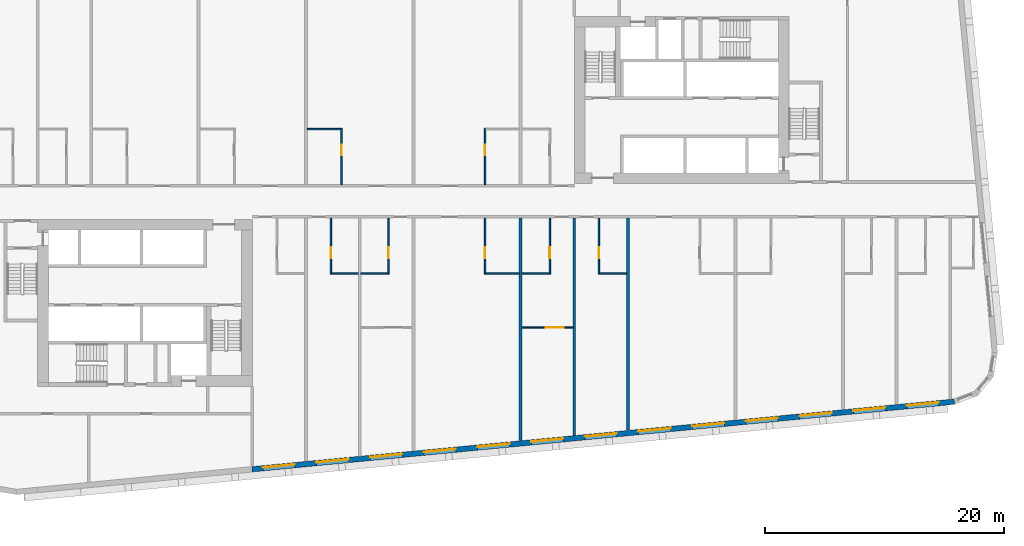
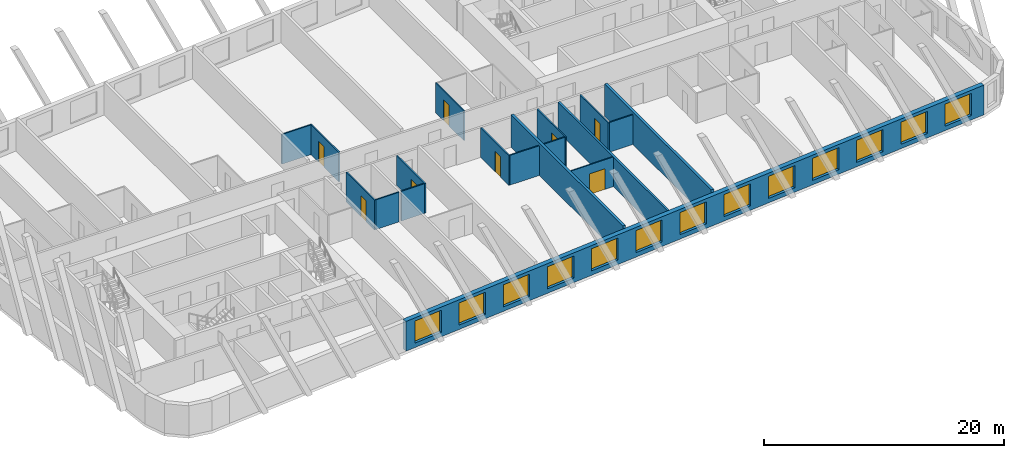
# One storey, part 4 of 13: 18 walls, 13 windows, 8 doors, 21 openings.
"""IFC4 building model written with IfcOpenShell, lengths in metres."""

from ifc_helpers import new_model, si_unit, direction, frame, frame_2d, origin, place, context, subcontext, project, spatial, rectangle, extrude, material, layer, layer_set, type_object, element, fill, save


model = new_model("IFC4")

# Units and contexts
model_context = context("Model", 3, precision=1e-05, world=origin(), true_north=direction((0.0, 1.0)))
body_context = subcontext(model_context, "Body", "Model", "MODEL_VIEW")
ifc_project = project(units=[si_unit("LENGTHUNIT", "METRE"), si_unit("AREAUNIT", "SQUARE_METRE"), si_unit("VOLUMEUNIT", "CUBIC_METRE"), si_unit("PLANEANGLEUNIT", "RADIAN"), si_unit("MASSUNIT", "GRAM", prefix="KILO")], contexts=[model_context])

# Site, building, storey
site_placement = place(None, origin())
site = spatial("IfcSite", under=ifc_project, at=site_placement, CompositionType="ELEMENT")
building_placement = place(site_placement, origin())
building = spatial("IfcBuilding", under=site, at=building_placement, Name="Kajstack Hotel Tower", CompositionType="ELEMENT")
storey_placement = place(building_placement, frame((0.0, 0.0, 110.800048828125)))
storey = spatial("IfcBuildingStorey", under=building, at=storey_placement, Name="L23", CompositionType="ELEMENT", Elevation=110.800048828125)

# Wall
ifc_material_1 = material(Name="Twin-frame gypsum board on steel studs, mineral wool", Category="steel")
ifc_layer_1 = layer(ifc_material_1, 0.199951171875)
ifc_layer_set_1 = layer_set([ifc_layer_1], Name="Demising wall 200")
wall_type_1 = type_object("IfcWallType", Name="Demising wall 200", PredefinedType="PARTITIONING", material=ifc_layer_set_1)
wall_1_placement = place(storey_placement, frame((13.5, -19.633056640625, 0.0), z_axis=(0.0, 0.0, 1.0), x_axis=(0.0, 1.0, 0.0)))
element("IfcWall", 1, at=wall_1_placement, inside=storey, type_object=wall_type_1, Name="G-wall-L23-032", PredefinedType="PARTITIONING", context=body_context, shape_type="SweptSolid", body=[
    extrude(rectangle(XDim=18.233154296875, YDim=0.199951171875, at=frame_2d((9.11669921875, 0.0))), origin(), (0.0, 0.0, 1.0), 3.02001953125),
])

# Wall, openings, windows
ifc_material_2 = material(Name="Terracotta-faced brick masonry", Category="masonry")
ifc_layer_2 = layer(ifc_material_2, 0.449951171875)
ifc_layer_set_2 = layer_set([ifc_layer_2], Name="EW-TERRA")
wall_type_2 = type_object("IfcWallType", Name="EW-TERRA", PredefinedType="SOLIDWALL", material=ifc_layer_set_2)
wall_2_placement = place(storey_placement, frame((-13.521484375, -22.46044921875, 0.0), z_axis=(0.0, 0.0, 1.0), x_axis=(0.995396096335, 0.095846812164, 0.0)))
wall_2 = element("IfcWall", 2, at=wall_2_placement, inside=storey, type_object=wall_type_2, Name="E-wall-L23-04-02", PredefinedType="SOLIDWALL", context=body_context, shape_type="SweptSolid", body=[
    extrude(rectangle(XDim=59.15087890625, YDim=0.449951171875, at=frame_2d((29.575439453125, 0.0))), origin(), (0.0, 0.0, 1.0), 3.02001953125),
])
opening_1_placement = place(wall_2_placement, frame((0.910400390625, 0.0, 0.449951171875)))
opening_1 = element("IfcOpeningElement", 3, at=opening_1_placement, cuts=wall_2, Name="Opening W1", PredefinedType="OPENING", context=body_context, shape_type="SweptSolid", body=[
    extrude(rectangle(XDim=2.699951171875, YDim=2.25, at=frame_2d((1.35009765625, 1.125))), frame((0.0, 0.23486328125, 0.0), z_axis=(0.0, -1.0, 0.0), x_axis=(1.0, 0.0, 0.0)), (0.0, 0.0, 1.0), 0.469970703125),
])
opening_2_placement = place(wall_2_placement, frame((5.43115234375, 0.0, 0.449951171875)))
opening_2 = element("IfcOpeningElement", 4, at=opening_2_placement, cuts=wall_2, Name="Opening W1", PredefinedType="OPENING", context=body_context, shape_type="SweptSolid", body=[
    extrude(rectangle(XDim=2.699951171875, YDim=2.25, at=frame_2d((1.35009765625, 1.125))), frame((0.0, 0.23486328125, 0.0), z_axis=(0.0, -1.0, 0.0), x_axis=(1.0, 0.0, 0.0)), (0.0, 0.0, 1.0), 0.469970703125),
])
opening_3_placement = place(wall_2_placement, frame((9.951904296875, 0.0, 0.449951171875)))
opening_3 = element("IfcOpeningElement", 5, at=opening_3_placement, cuts=wall_2, Name="Opening W1", PredefinedType="OPENING", context=body_context, shape_type="SweptSolid", body=[
    extrude(rectangle(XDim=2.699951171875, YDim=2.25, at=frame_2d((1.35009765625, 1.125))), frame((0.0, 0.23486328125, 0.0), z_axis=(0.0, -1.0, 0.0), x_axis=(1.0, 0.0, 0.0)), (0.0, 0.0, 1.0), 0.469970703125),
])
opening_4_placement = place(wall_2_placement, frame((14.472900390625, 0.0, 0.449951171875)))
opening_4 = element("IfcOpeningElement", 6, at=opening_4_placement, cuts=wall_2, Name="Opening W1", PredefinedType="OPENING", context=body_context, shape_type="SweptSolid", body=[
    extrude(rectangle(XDim=2.699951171875, YDim=2.25, at=frame_2d((1.35009765625, 1.125))), frame((0.0, 0.23486328125, 0.0), z_axis=(0.0, -1.0, 0.0), x_axis=(1.0, 0.0, 0.0)), (0.0, 0.0, 1.0), 0.469970703125),
])
opening_5_placement = place(wall_2_placement, frame((18.99365234375, 0.0, 0.449951171875)))
opening_5 = element("IfcOpeningElement", 7, at=opening_5_placement, cuts=wall_2, Name="Opening W1", PredefinedType="OPENING", context=body_context, shape_type="SweptSolid", body=[
    extrude(rectangle(XDim=2.699951171875, YDim=2.25, at=frame_2d((1.35009765625, 1.125))), frame((0.0, 0.23486328125, 0.0), z_axis=(0.0, -1.0, 0.0), x_axis=(1.0, 0.0, 0.0)), (0.0, 0.0, 1.0), 0.469970703125),
])
opening_6_placement = place(wall_2_placement, frame((23.514404296875, 0.0, 0.449951171875)))
opening_6 = element("IfcOpeningElement", 8, at=opening_6_placement, cuts=wall_2, Name="Opening W1", PredefinedType="OPENING", context=body_context, shape_type="SweptSolid", body=[
    extrude(rectangle(XDim=2.699951171875, YDim=2.25, at=frame_2d((1.35009765625, 1.125))), frame((0.0, 0.23486328125, 0.0), z_axis=(0.0, -1.0, 0.0), x_axis=(1.0, 0.0, 0.0)), (0.0, 0.0, 1.0), 0.469970703125),
])
opening_7_placement = place(wall_2_placement, frame((28.035400390625, 0.0, 0.449951171875)))
opening_7 = element("IfcOpeningElement", 9, at=opening_7_placement, cuts=wall_2, Name="Opening W1", PredefinedType="OPENING", context=body_context, shape_type="SweptSolid", body=[
    extrude(rectangle(XDim=2.699951171875, YDim=2.25, at=frame_2d((1.35009765625, 1.125))), frame((0.0, 0.23486328125, 0.0), z_axis=(0.0, -1.0, 0.0), x_axis=(1.0, 0.0, 0.0)), (0.0, 0.0, 1.0), 0.469970703125),
])
opening_8_placement = place(wall_2_placement, frame((32.55615234375, 0.0, 0.449951171875)))
opening_8 = element("IfcOpeningElement", 10, at=opening_8_placement, cuts=wall_2, Name="Opening W1", PredefinedType="OPENING", context=body_context, shape_type="SweptSolid", body=[
    extrude(rectangle(XDim=2.699951171875, YDim=2.25, at=frame_2d((1.35009765625, 1.125))), frame((0.0, 0.23486328125, 0.0), z_axis=(0.0, -1.0, 0.0), x_axis=(1.0, 0.0, 0.0)), (0.0, 0.0, 1.0), 0.469970703125),
])
opening_9_placement = place(wall_2_placement, frame((37.076904296875, 0.0, 0.449951171875)))
opening_9 = element("IfcOpeningElement", 11, at=opening_9_placement, cuts=wall_2, Name="Opening W1", PredefinedType="OPENING", context=body_context, shape_type="SweptSolid", body=[
    extrude(rectangle(XDim=2.699951171875, YDim=2.25, at=frame_2d((1.35009765625, 1.125))), frame((0.0, 0.23486328125, 0.0), z_axis=(0.0, -1.0, 0.0), x_axis=(1.0, 0.0, 0.0)), (0.0, 0.0, 1.0), 0.469970703125),
])
opening_10_placement = place(wall_2_placement, frame((41.59765625, 0.0, 0.449951171875)))
opening_10 = element("IfcOpeningElement", 12, at=opening_10_placement, cuts=wall_2, Name="Opening W1", PredefinedType="OPENING", context=body_context, shape_type="SweptSolid", body=[
    extrude(rectangle(XDim=2.699951171875, YDim=2.25, at=frame_2d((1.35009765625, 1.125))), frame((0.0, 0.23486328125, 0.0), z_axis=(0.0, -1.0, 0.0), x_axis=(1.0, 0.0, 0.0)), (0.0, 0.0, 1.0), 0.469970703125),
])
opening_11_placement = place(wall_2_placement, frame((46.118408203125, 0.0, 0.449951171875)))
opening_11 = element("IfcOpeningElement", 13, at=opening_11_placement, cuts=wall_2, Name="Opening W1", PredefinedType="OPENING", context=body_context, shape_type="SweptSolid", body=[
    extrude(rectangle(XDim=2.699951171875, YDim=2.25, at=frame_2d((1.35009765625, 1.125))), frame((0.0, 0.23486328125, 0.0), z_axis=(0.0, -1.0, 0.0), x_axis=(1.0, 0.0, 0.0)), (0.0, 0.0, 1.0), 0.469970703125),
])
opening_12_placement = place(wall_2_placement, frame((50.639404296875, 0.0, 0.449951171875)))
opening_12 = element("IfcOpeningElement", 14, at=opening_12_placement, cuts=wall_2, Name="Opening W1", PredefinedType="OPENING", context=body_context, shape_type="SweptSolid", body=[
    extrude(rectangle(XDim=2.699951171875, YDim=2.25, at=frame_2d((1.35009765625, 1.125))), frame((0.0, 0.23486328125, 0.0), z_axis=(0.0, -1.0, 0.0), x_axis=(1.0, 0.0, 0.0)), (0.0, 0.0, 1.0), 0.469970703125),
])
opening_13_placement = place(wall_2_placement, frame((55.149658203125, 0.0, 0.449951171875)))
opening_13 = element("IfcOpeningElement", 15, at=opening_13_placement, cuts=wall_2, Name="Opening W1", PredefinedType="OPENING", context=body_context, shape_type="SweptSolid", body=[
    extrude(rectangle(XDim=2.699951171875, YDim=2.25, at=frame_2d((1.35009765625, 1.125))), frame((0.0, 0.23486328125, 0.0), z_axis=(0.0, -1.0, 0.0), x_axis=(1.0, 0.0, 0.0)), (0.0, 0.0, 1.0), 0.469970703125),
])
ifc_material_3 = material(Name="Timber-aluminium window, triple glazed", Category="wood")
window_type = type_object("IfcWindowType", Name="WG1", PartitioningType="SINGLE_PANEL", PredefinedType="WINDOW", material=ifc_material_3)
window_1_placement = place(opening_1_placement, origin())
window_1 = element("IfcWindow", 16, at=window_1_placement, inside=storey, type_object=window_type, Name="Window W1 L23-04", OverallHeight=2.25, OverallWidth=2.699951171875, PartitioningType="SINGLE_PANEL", PredefinedType="WINDOW", context=body_context, shape_type="SweptSolid", body=[
    extrude(rectangle(XDim=2.699951171875, YDim=2.25, at=frame_2d((1.35009765625, 1.125))), frame((0.0, 0.090087890625, 0.0), z_axis=(0.0, -1.0, 0.0), x_axis=(1.0, 0.0, 0.0)), (0.0, 0.0, 1.0), 0.06005859375),
])
fill(opening_1, window_1)
window_2_placement = place(opening_2_placement, origin())
window_2 = element("IfcWindow", 17, at=window_2_placement, inside=storey, type_object=window_type, Name="Window W1 L23-04", OverallHeight=2.25, OverallWidth=2.699951171875, PartitioningType="SINGLE_PANEL", PredefinedType="WINDOW", context=body_context, shape_type="SweptSolid", body=[
    extrude(rectangle(XDim=2.699951171875, YDim=2.25, at=frame_2d((1.35009765625, 1.125))), frame((0.0, 0.090087890625, 0.0), z_axis=(0.0, -1.0, 0.0), x_axis=(1.0, 0.0, 0.0)), (0.0, 0.0, 1.0), 0.06005859375),
])
fill(opening_2, window_2)
window_3_placement = place(opening_3_placement, origin())
window_3 = element("IfcWindow", 18, at=window_3_placement, inside=storey, type_object=window_type, Name="Window W1 L23-04", OverallHeight=2.25, OverallWidth=2.699951171875, PartitioningType="SINGLE_PANEL", PredefinedType="WINDOW", context=body_context, shape_type="SweptSolid", body=[
    extrude(rectangle(XDim=2.699951171875, YDim=2.25, at=frame_2d((1.35009765625, 1.125))), frame((0.0, 0.090087890625, 0.0), z_axis=(0.0, -1.0, 0.0), x_axis=(1.0, 0.0, 0.0)), (0.0, 0.0, 1.0), 0.06005859375),
])
fill(opening_3, window_3)
window_4_placement = place(opening_4_placement, origin())
window_4 = element("IfcWindow", 19, at=window_4_placement, inside=storey, type_object=window_type, Name="Window W1 L23-04", OverallHeight=2.25, OverallWidth=2.699951171875, PartitioningType="SINGLE_PANEL", PredefinedType="WINDOW", context=body_context, shape_type="SweptSolid", body=[
    extrude(rectangle(XDim=2.699951171875, YDim=2.25, at=frame_2d((1.35009765625, 1.125))), frame((0.0, 0.090087890625, 0.0), z_axis=(0.0, -1.0, 0.0), x_axis=(1.0, 0.0, 0.0)), (0.0, 0.0, 1.0), 0.06005859375),
])
fill(opening_4, window_4)
window_5_placement = place(opening_5_placement, origin())
window_5 = element("IfcWindow", 20, at=window_5_placement, inside=storey, type_object=window_type, Name="Window W1 L23-04", OverallHeight=2.25, OverallWidth=2.699951171875, PartitioningType="SINGLE_PANEL", PredefinedType="WINDOW", context=body_context, shape_type="SweptSolid", body=[
    extrude(rectangle(XDim=2.699951171875, YDim=2.25, at=frame_2d((1.35009765625, 1.125))), frame((0.0, 0.090087890625, 0.0), z_axis=(0.0, -1.0, 0.0), x_axis=(1.0, 0.0, 0.0)), (0.0, 0.0, 1.0), 0.06005859375),
])
fill(opening_5, window_5)
window_6_placement = place(opening_6_placement, origin())
window_6 = element("IfcWindow", 21, at=window_6_placement, inside=storey, type_object=window_type, Name="Window W1 L23-04", OverallHeight=2.25, OverallWidth=2.699951171875, PartitioningType="SINGLE_PANEL", PredefinedType="WINDOW", context=body_context, shape_type="SweptSolid", body=[
    extrude(rectangle(XDim=2.699951171875, YDim=2.25, at=frame_2d((1.35009765625, 1.125))), frame((0.0, 0.090087890625, 0.0), z_axis=(0.0, -1.0, 0.0), x_axis=(1.0, 0.0, 0.0)), (0.0, 0.0, 1.0), 0.06005859375),
])
fill(opening_6, window_6)
window_7_placement = place(opening_7_placement, origin())
window_7 = element("IfcWindow", 22, at=window_7_placement, inside=storey, type_object=window_type, Name="Window W1 L23-04", OverallHeight=2.25, OverallWidth=2.699951171875, PartitioningType="SINGLE_PANEL", PredefinedType="WINDOW", context=body_context, shape_type="SweptSolid", body=[
    extrude(rectangle(XDim=2.699951171875, YDim=2.25, at=frame_2d((1.35009765625, 1.125))), frame((0.0, 0.090087890625, 0.0), z_axis=(0.0, -1.0, 0.0), x_axis=(1.0, 0.0, 0.0)), (0.0, 0.0, 1.0), 0.06005859375),
])
fill(opening_7, window_7)
window_8_placement = place(opening_8_placement, origin())
window_8 = element("IfcWindow", 23, at=window_8_placement, inside=storey, type_object=window_type, Name="Window W1 L23-04", OverallHeight=2.25, OverallWidth=2.699951171875, PartitioningType="SINGLE_PANEL", PredefinedType="WINDOW", context=body_context, shape_type="SweptSolid", body=[
    extrude(rectangle(XDim=2.699951171875, YDim=2.25, at=frame_2d((1.35009765625, 1.125))), frame((0.0, 0.090087890625, 0.0), z_axis=(0.0, -1.0, 0.0), x_axis=(1.0, 0.0, 0.0)), (0.0, 0.0, 1.0), 0.06005859375),
])
fill(opening_8, window_8)
window_9_placement = place(opening_9_placement, origin())
window_9 = element("IfcWindow", 24, at=window_9_placement, inside=storey, type_object=window_type, Name="Window W1 L23-04", OverallHeight=2.25, OverallWidth=2.699951171875, PartitioningType="SINGLE_PANEL", PredefinedType="WINDOW", context=body_context, shape_type="SweptSolid", body=[
    extrude(rectangle(XDim=2.699951171875, YDim=2.25, at=frame_2d((1.35009765625, 1.125))), frame((0.0, 0.090087890625, 0.0), z_axis=(0.0, -1.0, 0.0), x_axis=(1.0, 0.0, 0.0)), (0.0, 0.0, 1.0), 0.06005859375),
])
fill(opening_9, window_9)
window_10_placement = place(opening_10_placement, origin())
window_10 = element("IfcWindow", 25, at=window_10_placement, inside=storey, type_object=window_type, Name="Window W1 L23-04", OverallHeight=2.25, OverallWidth=2.699951171875, PartitioningType="SINGLE_PANEL", PredefinedType="WINDOW", context=body_context, shape_type="SweptSolid", body=[
    extrude(rectangle(XDim=2.699951171875, YDim=2.25, at=frame_2d((1.35009765625, 1.125))), frame((0.0, 0.090087890625, 0.0), z_axis=(0.0, -1.0, 0.0), x_axis=(1.0, 0.0, 0.0)), (0.0, 0.0, 1.0), 0.06005859375),
])
fill(opening_10, window_10)
window_11_placement = place(opening_11_placement, origin())
window_11 = element("IfcWindow", 26, at=window_11_placement, inside=storey, type_object=window_type, Name="Window W1 L23-04", OverallHeight=2.25, OverallWidth=2.699951171875, PartitioningType="SINGLE_PANEL", PredefinedType="WINDOW", context=body_context, shape_type="SweptSolid", body=[
    extrude(rectangle(XDim=2.699951171875, YDim=2.25, at=frame_2d((1.35009765625, 1.125))), frame((0.0, 0.090087890625, 0.0), z_axis=(0.0, -1.0, 0.0), x_axis=(1.0, 0.0, 0.0)), (0.0, 0.0, 1.0), 0.06005859375),
])
fill(opening_11, window_11)
window_12_placement = place(opening_12_placement, origin())
window_12 = element("IfcWindow", 27, at=window_12_placement, inside=storey, type_object=window_type, Name="Window W1 L23-04", OverallHeight=2.25, OverallWidth=2.699951171875, PartitioningType="SINGLE_PANEL", PredefinedType="WINDOW", context=body_context, shape_type="SweptSolid", body=[
    extrude(rectangle(XDim=2.699951171875, YDim=2.25, at=frame_2d((1.35009765625, 1.125))), frame((0.0, 0.090087890625, 0.0), z_axis=(0.0, -1.0, 0.0), x_axis=(1.0, 0.0, 0.0)), (0.0, 0.0, 1.0), 0.06005859375),
])
fill(opening_12, window_12)
window_13_placement = place(opening_13_placement, origin())
window_13 = element("IfcWindow", 28, at=window_13_placement, inside=storey, type_object=window_type, Name="Window W1 L23-04", OverallHeight=2.25, OverallWidth=2.699951171875, PartitioningType="SINGLE_PANEL", PredefinedType="WINDOW", context=body_context, shape_type="SweptSolid", body=[
    extrude(rectangle(XDim=2.699951171875, YDim=2.25, at=frame_2d((1.35009765625, 1.125))), frame((0.0, 0.090087890625, 0.0), z_axis=(0.0, -1.0, 0.0), x_axis=(1.0, 0.0, 0.0)), (0.0, 0.0, 1.0), 0.06005859375),
])
fill(opening_13, window_13)

# Wall, opening, door
ifc_material_4 = material(Name="Gypsum board and tiled backer on steel studs", Category="steel")
ifc_layer_3 = layer(ifc_material_4, 0.125)
ifc_layer_set_3 = layer_set([ifc_layer_3], Name="En-suite wall 125")
wall_type_3 = type_object("IfcWallType", Name="En-suite wall 125", PredefinedType="PARTITIONING", material=ifc_layer_set_3)
wall_3_placement = place(storey_placement, frame((-6.012939453125, 1.39990234375, 0.0), z_axis=(0.0, 0.0, 1.0), x_axis=(0.0, 1.0, 0.0)))
wall_3 = element("IfcWall", 29, at=wall_3_placement, inside=storey, type_object=wall_type_3, Name="G-wall-L23-015", PredefinedType="PARTITIONING", context=body_context, shape_type="SweptSolid", body=[
    extrude(rectangle(XDim=4.72509765625, YDim=0.125, at=frame_2d((2.362548828125, 0.0))), origin(), (0.0, 0.0, 1.0), 3.02001953125),
])
opening_14_placement = place(wall_3_placement, frame((2.449951171875, 0.0, 0.0)))
opening_14 = element("IfcOpeningElement", 30, at=opening_14_placement, cuts=wall_3, Name="Opening 23012", PredefinedType="OPENING", context=body_context, shape_type="SweptSolid", body=[
    extrude(rectangle(XDim=0.89990234375, YDim=2.10009765625, at=frame_2d((0.449951171875, 1.050048828125))), frame((0.0, 0.072509765625, 0.0), z_axis=(0.0, -1.0, 0.0), x_axis=(1.0, 0.0, 0.0)), (0.0, 0.0, 1.0), 0.14501953125),
])
ifc_material_5 = material(Name="Painted timber door leaf", Category="wood")
door_type_1 = type_object("IfcDoorType", Name="Room door 900", OperationType="SINGLE_SWING_LEFT", PredefinedType="DOOR", material=ifc_material_5)
door_1_placement = place(opening_14_placement, origin())
door_1 = element("IfcDoor", 31, at=door_1_placement, inside=storey, type_object=door_type_1, Name="G-door-L23-12", OperationType="SINGLE_SWING_RIGHT", OverallHeight=2.10009765625, OverallWidth=0.89990234375, PredefinedType="DOOR", context=body_context, shape_type="SweptSolid", body=[
    extrude(rectangle(XDim=0.89990234375, YDim=2.10009765625, at=frame_2d((0.449951171875, 1.050048828125))), frame((0.0, 0.02490234375, 0.0), z_axis=(0.0, -1.0, 0.0), x_axis=(1.0, 0.0, 0.0)), (0.0, 0.0, 1.0), 0.050048828125),
])
fill(opening_14, door_1)

# Wall
wall_4_placement = place(storey_placement, frame((-8.875, 6.06201171875, 0.0), z_axis=(0.0, 0.0, 1.0), x_axis=(1.0, 0.0, 0.0)))
element("IfcWall", 32, at=wall_4_placement, inside=storey, type_object=wall_type_3, Name="G-wall-L23-016", PredefinedType="PARTITIONING", context=body_context, shape_type="SweptSolid", body=[
    extrude(rectangle(XDim=2.800048828125, YDim=0.125, at=frame_2d((1.39990234375, 0.0))), origin(), (0.0, 0.0, 1.0), 3.02001953125),
])

# Wall, opening, door
wall_5_placement = place(storey_placement, frame((6.012939453125, 1.39990234375, 0.0), z_axis=(0.0, 0.0, 1.0), x_axis=(0.0, 1.0, 0.0)))
wall_5 = element("IfcWall", 33, at=wall_5_placement, inside=storey, type_object=wall_type_3, Name="G-wall-L23-017", PredefinedType="PARTITIONING", context=body_context, shape_type="SweptSolid", body=[
    extrude(rectangle(XDim=4.72509765625, YDim=0.125, at=frame_2d((2.362548828125, 0.0))), origin(), (0.0, 0.0, 1.0), 3.02001953125),
])
opening_15_placement = place(wall_5_placement, frame((2.449951171875, 0.0, 0.0)))
opening_15 = element("IfcOpeningElement", 34, at=opening_15_placement, cuts=wall_5, Name="Opening 23014", PredefinedType="OPENING", context=body_context, shape_type="SweptSolid", body=[
    extrude(rectangle(XDim=0.89990234375, YDim=2.10009765625, at=frame_2d((0.449951171875, 1.050048828125))), frame((0.0, 0.072509765625, 0.0), z_axis=(0.0, -1.0, 0.0), x_axis=(1.0, 0.0, 0.0)), (0.0, 0.0, 1.0), 0.14501953125),
])
door_2_placement = place(opening_15_placement, origin())
door_2 = element("IfcDoor", 35, at=door_2_placement, inside=storey, type_object=door_type_1, Name="G-door-L23-14", OperationType="SINGLE_SWING_LEFT", OverallHeight=2.10009765625, OverallWidth=0.89990234375, PredefinedType="DOOR", context=body_context, shape_type="SweptSolid", body=[
    extrude(rectangle(XDim=0.89990234375, YDim=2.10009765625, at=frame_2d((0.449951171875, 1.050048828125))), frame((0.0, 0.02490234375, 0.0), z_axis=(0.0, -1.0, 0.0), x_axis=(1.0, 0.0, 0.0)), (0.0, 0.0, 1.0), 0.050048828125),
])
fill(opening_15, door_2)

wall_6_placement = place(storey_placement, frame((-6.912109375, -6.125, 0.0), z_axis=(0.0, 0.0, 1.0), x_axis=(0.0, 1.0, 0.0)))
wall_6 = element("IfcWall", 36, at=wall_6_placement, inside=storey, type_object=wall_type_3, Name="G-wall-L23-025", PredefinedType="PARTITIONING", context=body_context, shape_type="SweptSolid", body=[
    extrude(rectangle(XDim=4.72509765625, YDim=0.125, at=frame_2d((2.362548828125, 0.0))), origin(), (0.0, 0.0, 1.0), 3.02001953125),
])
opening_16_placement = place(wall_6_placement, frame((1.375, 0.0, 0.0)))
opening_16 = element("IfcOpeningElement", 37, at=opening_16_placement, cuts=wall_6, Name="Opening 23020", PredefinedType="OPENING", context=body_context, shape_type="SweptSolid", body=[
    extrude(rectangle(XDim=0.89990234375, YDim=2.10009765625, at=frame_2d((0.449951171875, 1.050048828125))), frame((0.0, 0.072509765625, 0.0), z_axis=(0.0, -1.0, 0.0), x_axis=(1.0, 0.0, 0.0)), (0.0, 0.0, 1.0), 0.14501953125),
])
door_3_placement = place(opening_16_placement, origin())
door_3 = element("IfcDoor", 38, at=door_3_placement, inside=storey, type_object=door_type_1, Name="G-door-L23-20", OperationType="SINGLE_SWING_RIGHT", OverallHeight=2.10009765625, OverallWidth=0.89990234375, PredefinedType="DOOR", context=body_context, shape_type="SweptSolid", body=[
    extrude(rectangle(XDim=0.89990234375, YDim=2.10009765625, at=frame_2d((0.449951171875, 1.050048828125))), frame((0.0, 0.02490234375, 0.0), z_axis=(0.0, -1.0, 0.0), x_axis=(1.0, 0.0, 0.0)), (0.0, 0.0, 1.0), 0.050048828125),
])
fill(opening_16, door_3)

# Wall
wall_7_placement = place(storey_placement, frame((-6.85009765625, -6.06201171875, 0.0), z_axis=(0.0, 0.0, 1.0), x_axis=(1.0, 0.0, 0.0)))
element("IfcWall", 39, at=wall_7_placement, inside=storey, type_object=wall_type_3, Name="G-wall-L23-026", PredefinedType="PARTITIONING", context=body_context, shape_type="SweptSolid", body=[
    extrude(rectangle(XDim=2.25, YDim=0.125, at=frame_2d((1.125, 0.0))), origin(), (0.0, 0.0, 1.0), 3.02001953125),
])

# Wall, opening, door
wall_8_placement = place(storey_placement, frame((-2.0869140625, -6.125, 0.0), z_axis=(0.0, 0.0, 1.0), x_axis=(0.0, 1.0, 0.0)))
wall_8 = element("IfcWall", 40, at=wall_8_placement, inside=storey, type_object=wall_type_3, Name="G-wall-L23-027", PredefinedType="PARTITIONING", context=body_context, shape_type="SweptSolid", body=[
    extrude(rectangle(XDim=4.72509765625, YDim=0.125, at=frame_2d((2.362548828125, 0.0))), origin(), (0.0, 0.0, 1.0), 3.02001953125),
])
opening_17_placement = place(wall_8_placement, frame((1.375, 0.0, 0.0)))
opening_17 = element("IfcOpeningElement", 41, at=opening_17_placement, cuts=wall_8, Name="Opening 23022", PredefinedType="OPENING", context=body_context, shape_type="SweptSolid", body=[
    extrude(rectangle(XDim=0.89990234375, YDim=2.10009765625, at=frame_2d((0.449951171875, 1.050048828125))), frame((0.0, 0.072509765625, 0.0), z_axis=(0.0, -1.0, 0.0), x_axis=(1.0, 0.0, 0.0)), (0.0, 0.0, 1.0), 0.14501953125),
])
door_4_placement = place(opening_17_placement, origin())
door_4 = element("IfcDoor", 42, at=door_4_placement, inside=storey, type_object=door_type_1, Name="G-door-L23-22", OperationType="SINGLE_SWING_LEFT", OverallHeight=2.10009765625, OverallWidth=0.89990234375, PredefinedType="DOOR", context=body_context, shape_type="SweptSolid", body=[
    extrude(rectangle(XDim=0.89990234375, YDim=2.10009765625, at=frame_2d((0.449951171875, 1.050048828125))), frame((0.0, 0.02490234375, 0.0), z_axis=(0.0, -1.0, 0.0), x_axis=(1.0, 0.0, 0.0)), (0.0, 0.0, 1.0), 0.050048828125),
])
fill(opening_17, door_4)

# Wall
wall_9_placement = place(storey_placement, frame((-4.39990234375, -6.06201171875, 0.0), z_axis=(0.0, 0.0, 1.0), x_axis=(1.0, 0.0, 0.0)))
element("IfcWall", 43, at=wall_9_placement, inside=storey, type_object=wall_type_3, Name="G-wall-L23-028", PredefinedType="PARTITIONING", context=body_context, shape_type="SweptSolid", body=[
    extrude(rectangle(XDim=2.25, YDim=0.125, at=frame_2d((1.125, 0.0))), origin(), (0.0, 0.0, 1.0), 3.02001953125),
])

# Wall, opening, door
wall_10_placement = place(storey_placement, frame((6.012939453125, -6.125, 0.0), z_axis=(0.0, 0.0, 1.0), x_axis=(0.0, 1.0, 0.0)))
wall_10 = element("IfcWall", 44, at=wall_10_placement, inside=storey, type_object=wall_type_3, Name="G-wall-L23-030", PredefinedType="PARTITIONING", context=body_context, shape_type="SweptSolid", body=[
    extrude(rectangle(XDim=4.72509765625, YDim=0.125, at=frame_2d((2.362548828125, 0.0))), origin(), (0.0, 0.0, 1.0), 3.02001953125),
])
opening_18_placement = place(wall_10_placement, frame((1.375, 0.0, 0.0)))
opening_18 = element("IfcOpeningElement", 45, at=opening_18_placement, cuts=wall_10, Name="Opening 23025", PredefinedType="OPENING", context=body_context, shape_type="SweptSolid", body=[
    extrude(rectangle(XDim=0.89990234375, YDim=2.10009765625, at=frame_2d((0.449951171875, 1.050048828125))), frame((0.0, 0.072509765625, 0.0), z_axis=(0.0, -1.0, 0.0), x_axis=(1.0, 0.0, 0.0)), (0.0, 0.0, 1.0), 0.14501953125),
])
door_5_placement = place(opening_18_placement, origin())
door_5 = element("IfcDoor", 46, at=door_5_placement, inside=storey, type_object=door_type_1, Name="G-door-L23-25", OperationType="SINGLE_SWING_LEFT", OverallHeight=2.10009765625, OverallWidth=0.89990234375, PredefinedType="DOOR", context=body_context, shape_type="SweptSolid", body=[
    extrude(rectangle(XDim=0.89990234375, YDim=2.10009765625, at=frame_2d((0.449951171875, 1.050048828125))), frame((0.0, 0.02490234375, 0.0), z_axis=(0.0, -1.0, 0.0), x_axis=(1.0, 0.0, 0.0)), (0.0, 0.0, 1.0), 0.050048828125),
])
fill(opening_18, door_5)

# Wall
wall_11_placement = place(storey_placement, frame((6.074951171875, -6.06201171875, 0.0), z_axis=(0.0, 0.0, 1.0), x_axis=(1.0, 0.0, 0.0)))
element("IfcWall", 47, at=wall_11_placement, inside=storey, type_object=wall_type_3, Name="G-wall-L23-031", PredefinedType="PARTITIONING", context=body_context, shape_type="SweptSolid", body=[
    extrude(rectangle(XDim=2.800048828125, YDim=0.125, at=frame_2d((1.39990234375, 0.0))), origin(), (0.0, 0.0, 1.0), 3.02001953125),
])

# Wall, opening, door
wall_12_placement = place(storey_placement, frame((11.43798828125, -6.125, 0.0), z_axis=(0.0, 0.0, 1.0), x_axis=(0.0, 1.0, 0.0)))
wall_12 = element("IfcWall", 48, at=wall_12_placement, inside=storey, type_object=wall_type_3, Name="G-wall-L23-033", PredefinedType="PARTITIONING", context=body_context, shape_type="SweptSolid", body=[
    extrude(rectangle(XDim=4.72509765625, YDim=0.125, at=frame_2d((2.362548828125, 0.0))), origin(), (0.0, 0.0, 1.0), 3.02001953125),
])
opening_19_placement = place(wall_12_placement, frame((1.375, 0.0, 0.0)))
opening_19 = element("IfcOpeningElement", 49, at=opening_19_placement, cuts=wall_12, Name="Opening 23027", PredefinedType="OPENING", context=body_context, shape_type="SweptSolid", body=[
    extrude(rectangle(XDim=0.89990234375, YDim=2.10009765625, at=frame_2d((0.449951171875, 1.050048828125))), frame((0.0, 0.072509765625, 0.0), z_axis=(0.0, -1.0, 0.0), x_axis=(1.0, 0.0, 0.0)), (0.0, 0.0, 1.0), 0.14501953125),
])
door_6_placement = place(opening_19_placement, origin())
door_6 = element("IfcDoor", 50, at=door_6_placement, inside=storey, type_object=door_type_1, Name="G-door-L23-27", OperationType="SINGLE_SWING_RIGHT", OverallHeight=2.10009765625, OverallWidth=0.89990234375, PredefinedType="DOOR", context=body_context, shape_type="SweptSolid", body=[
    extrude(rectangle(XDim=0.89990234375, YDim=2.10009765625, at=frame_2d((0.449951171875, 1.050048828125))), frame((0.0, 0.02490234375, 0.0), z_axis=(0.0, -1.0, 0.0), x_axis=(1.0, 0.0, 0.0)), (0.0, 0.0, 1.0), 0.050048828125),
])
fill(opening_19, door_6)

# Wall
wall_13_placement = place(storey_placement, frame((9.125, -6.06201171875, 0.0), z_axis=(0.0, 0.0, 1.0), x_axis=(1.0, 0.0, 0.0)))
element("IfcWall", 51, at=wall_13_placement, inside=storey, type_object=wall_type_3, Name="G-wall-L23-034", PredefinedType="PARTITIONING", context=body_context, shape_type="SweptSolid", body=[
    extrude(rectangle(XDim=2.25, YDim=0.125, at=frame_2d((1.125, 0.0))), origin(), (0.0, 0.0, 1.0), 3.02001953125),
])

# Wall, opening, door
wall_14_placement = place(storey_placement, frame((15.56201171875, -6.125, 0.0), z_axis=(0.0, 0.0, 1.0), x_axis=(0.0, 1.0, 0.0)))
wall_14 = element("IfcWall", 52, at=wall_14_placement, inside=storey, type_object=wall_type_3, Name="G-wall-L23-036", PredefinedType="PARTITIONING", context=body_context, shape_type="SweptSolid", body=[
    extrude(rectangle(XDim=4.72509765625, YDim=0.125, at=frame_2d((2.362548828125, 0.0))), origin(), (0.0, 0.0, 1.0), 3.02001953125),
])
opening_20_placement = place(wall_14_placement, frame((1.375, 0.0, 0.0)))
opening_20 = element("IfcOpeningElement", 53, at=opening_20_placement, cuts=wall_14, Name="Opening 23030", PredefinedType="OPENING", context=body_context, shape_type="SweptSolid", body=[
    extrude(rectangle(XDim=0.89990234375, YDim=2.10009765625, at=frame_2d((0.449951171875, 1.050048828125))), frame((0.0, 0.072509765625, 0.0), z_axis=(0.0, -1.0, 0.0), x_axis=(1.0, 0.0, 0.0)), (0.0, 0.0, 1.0), 0.14501953125),
])
door_7_placement = place(opening_20_placement, origin())
door_7 = element("IfcDoor", 54, at=door_7_placement, inside=storey, type_object=door_type_1, Name="G-door-L23-30", OperationType="SINGLE_SWING_RIGHT", OverallHeight=2.10009765625, OverallWidth=0.89990234375, PredefinedType="DOOR", context=body_context, shape_type="SweptSolid", body=[
    extrude(rectangle(XDim=0.89990234375, YDim=2.10009765625, at=frame_2d((0.449951171875, 1.050048828125))), frame((0.0, 0.02490234375, 0.0), z_axis=(0.0, -1.0, 0.0), x_axis=(1.0, 0.0, 0.0)), (0.0, 0.0, 1.0), 0.050048828125),
])
fill(opening_20, door_7)

# Wall
wall_15_placement = place(storey_placement, frame((15.625, -6.06201171875, 0.0), z_axis=(0.0, 0.0, 1.0), x_axis=(1.0, 0.0, 0.0)))
element("IfcWall", 55, at=wall_15_placement, inside=storey, type_object=wall_type_3, Name="G-wall-L23-037", PredefinedType="PARTITIONING", context=body_context, shape_type="SweptSolid", body=[
    extrude(rectangle(XDim=2.25, YDim=0.125, at=frame_2d((1.125, 0.0))), origin(), (0.0, 0.0, 1.0), 3.02001953125),
])

# Wall, opening, door
ifc_material_6 = material(Name="Gypsum board on steel studs", Category="steel")
ifc_layer_4 = layer(ifc_material_6, 0.10009765625)
ifc_layer_set_4 = layer_set([ifc_layer_4], Name="Partition 100")
wall_type_4 = type_object("IfcWallType", Name="Partition 100", PredefinedType="PARTITIONING", material=ifc_layer_set_4)
wall_16_placement = place(storey_placement, frame((9.125, -10.574951171875, 0.0), z_axis=(0.0, 0.0, 1.0), x_axis=(1.0, 0.0, 0.0)))
wall_16 = element("IfcWall", 56, at=wall_16_placement, inside=storey, type_object=wall_type_4, Name="G-wall-L23-035", PredefinedType="PARTITIONING", context=body_context, shape_type="SweptSolid", body=[
    extrude(rectangle(XDim=4.27490234375, YDim=0.10009765625, at=frame_2d((2.137451171875, 0.0))), origin(), (0.0, 0.0, 1.0), 3.02001953125),
])
opening_21_placement = place(wall_16_placement, frame((1.987060546875, 0.0, 0.0)))
opening_21 = element("IfcOpeningElement", 57, at=opening_21_placement, cuts=wall_16, Name="Opening 23028", PredefinedType="OPENING", context=body_context, shape_type="SweptSolid", body=[
    extrude(rectangle(XDim=1.5, YDim=2.10009765625, at=frame_2d((0.75, 1.050048828125))), frame((0.0, 0.06005859375, 0.0), z_axis=(0.0, -1.0, 0.0), x_axis=(1.0, 0.0, 0.0)), (0.0, 0.0, 1.0), 0.1201171875),
])
ifc_material_7 = material(Name="Painted timber door leaves, glazed panels", Category="wood")
door_type_2 = type_object("IfcDoorType", Name="Double door 1500", OperationType="SINGLE_SWING_LEFT", PredefinedType="DOOR", material=ifc_material_7)
door_8_placement = place(opening_21_placement, origin())
door_8 = element("IfcDoor", 58, at=door_8_placement, inside=storey, type_object=door_type_2, Name="G-door-L23-28", OperationType="SINGLE_SWING_LEFT", OverallHeight=2.10009765625, OverallWidth=1.5, PredefinedType="DOOR", context=body_context, shape_type="SweptSolid", body=[
    extrude(rectangle(XDim=1.5, YDim=2.10009765625, at=frame_2d((0.75, 1.050048828125))), frame((0.0, 0.02490234375, 0.0), z_axis=(0.0, -1.0, 0.0), x_axis=(1.0, 0.0, 0.0)), (0.0, 0.0, 1.0), 0.050048828125),
])
fill(opening_21, door_8)

# Walls
ifc_material_8 = material(Name="Concrete C55/67", Category="concrete")
ifc_layer_5 = layer(ifc_material_8, 0.25)
ifc_layer_set_5 = layer_set([ifc_layer_5], Name="RC cross wall 250 C55/67")
wall_type_5 = type_object("IfcWallType", Name="RC cross wall 250 C55/67", PredefinedType="SHEAR", material=ifc_layer_set_5)
wall_17_placement = place(storey_placement, frame((9.0, -20.043701171875, 0.0), z_axis=(0.0, 0.0, 1.0), x_axis=(0.0, 1.0, 0.0)))
element("IfcWall", 59, at=wall_17_placement, inside=storey, type_object=wall_type_5, Name="S-wall-L23-08", PredefinedType="SHEAR", context=body_context, shape_type="SweptSolid", body=[
    extrude(rectangle(XDim=18.643798828125, YDim=0.25, at=frame_2d((9.32177734375, 0.0))), origin(), (0.0, 0.0, 1.0), 3.300048828125),
])
wall_18_placement = place(storey_placement, frame((18.0, -19.17724609375, 0.0), z_axis=(0.0, 0.0, 1.0), x_axis=(0.0, 1.0, 0.0)))
element("IfcWall", 60, at=wall_18_placement, inside=storey, type_object=wall_type_5, Name="S-wall-L23-10", PredefinedType="SHEAR", context=body_context, shape_type="SweptSolid", body=[
    extrude(rectangle(XDim=17.77734375, YDim=0.25, at=frame_2d((8.888671875, 0.0))), origin(), (0.0, 0.0, 1.0), 3.300048828125),
])

save(model, "model.ifc")
